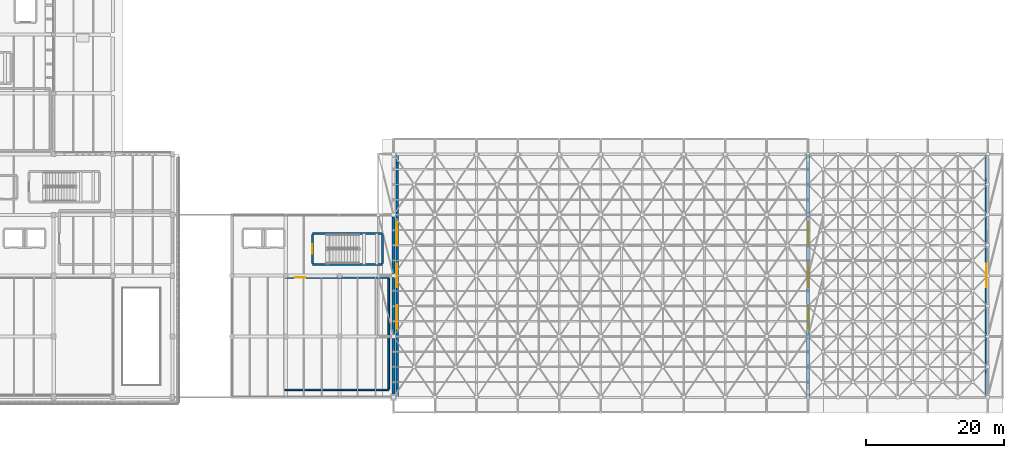
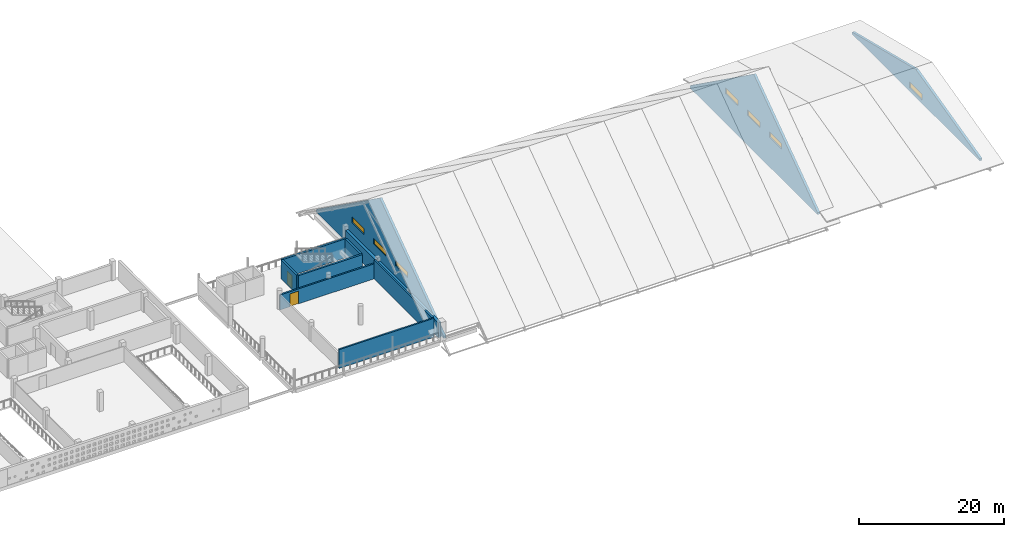
# One storey, part 45 of 55: 13 walls, 7 windows, 2 doors, 9 openings.
"""IFC4 building model written with IfcOpenShell, lengths in metres."""

from ifc_helpers import new_model, si_unit, direction, frame, frame_2d, origin, place, context, subcontext, project, spatial, polyline, rectangle, outline, extrude, material, layer, layer_set, type_object, element, fill, save


model = new_model("IFC4")

# Units and contexts
model_context = context("Model", 3, precision=1e-05, world=origin(), true_north=direction((0.0, 1.0)))
body_context = subcontext(model_context, "Body", "Model", "MODEL_VIEW")
ifc_project = project(units=[si_unit("LENGTHUNIT", "METRE"), si_unit("AREAUNIT", "SQUARE_METRE"), si_unit("VOLUMEUNIT", "CUBIC_METRE"), si_unit("PLANEANGLEUNIT", "RADIAN"), si_unit("MASSUNIT", "GRAM", prefix="KILO")], contexts=[model_context])

# Site, building, storey
site_placement = place(None, origin())
site = spatial("IfcSite", under=ifc_project, at=site_placement, CompositionType="ELEMENT")
building_placement = place(site_placement, origin())
building = spatial("IfcBuilding", under=site, at=building_placement, Name="Varnakota Cinema and Media Centre", CompositionType="ELEMENT")
storey_placement = place(building_placement, frame((0.0, 0.0, 15.60009765625)))
storey = spatial("IfcBuildingStorey", under=building, at=storey_placement, Name="L04", CompositionType="ELEMENT", Elevation=15.60009765625)

# Wall
ifc_material_1 = material(Name="Concrete M40", Category="concrete")
ifc_layer_1 = layer(ifc_material_1, 0.300048828125)
ifc_layer_set_1 = layer_set([ifc_layer_1], Name="Concrete M40")
wall_type_1 = type_object("IfcWallType", Name="W-CORE-300", PredefinedType="SHEAR", material=ifc_layer_set_1)
wall_1_placement = place(storey_placement, frame((73.429931640625, 19.25, 0.0), z_axis=(0.0, 0.0, 1.0), x_axis=(-1.0, 0.0, 0.0)))
element("IfcWall", 1, at=wall_1_placement, inside=storey, type_object=wall_type_1, Name="L04 CWALL-ST-04-L04 S wall", PredefinedType="SHEAR", context=body_context, shape_type="SweptSolid", body=[
    extrude(rectangle(XDim=10.179931640625, YDim=0.300048828125, at=frame_2d((5.08984375, 0.0))), origin(), (0.0, 0.0, 1.0), 3.199951171875),
])

# Wall, opening, door
wall_2_placement = place(storey_placement, frame((63.25, 19.39990234375, 0.0), z_axis=(0.0, 0.0, 1.0), x_axis=(0.0, 1.0, 0.0)))
wall_2 = element("IfcWall", 2, at=wall_2_placement, inside=storey, type_object=wall_type_1, Name="L04 CWALL-ST-04-L04 W wall", PredefinedType="SHEAR", context=body_context, shape_type="SweptSolid", body=[
    extrude(rectangle(XDim=4.150146484375, YDim=0.300048828125, at=frame_2d((2.0751953125, 0.0))), origin(), (0.0, 0.0, 1.0), 3.199951171875),
])
opening_1_placement = place(wall_2_placement, frame((1.39990234375, 0.0, 0.0)))
opening_1 = element("IfcOpeningElement", 3, at=opening_1_placement, cuts=wall_2, Name="Opening SD-04", PredefinedType="OPENING", context=body_context, shape_type="SweptSolid", body=[
    extrude(rectangle(XDim=1.35009765625, YDim=2.199951171875, at=frame_2d((0.675048828125, 1.10009765625))), frame((0.0, 0.14990234375, 0.0), z_axis=(0.0, -1.0, 0.0), x_axis=(1.0, 0.0, 0.0)), (0.0, 0.0, 1.0), 0.300048828125),
])
ifc_material_2 = material(Name="Thermally broken anodised aluminium AW-6063", Category="aluminium")
door_type_1 = type_object("IfcDoorType", Name="DR-STAIR-1350x2200", OperationType="NOTDEFINED", PredefinedType="DOOR", material=ifc_material_2)
door_1_placement = place(opening_1_placement, origin())
door_1 = element("IfcDoor", 4, at=door_1_placement, inside=storey, type_object=door_type_1, Name="L04 door SD-04", OperationType="SINGLE_SWING_LEFT", OverallHeight=2.199951171875, OverallWidth=1.35009765625, PredefinedType="DOOR", context=body_context, shape_type="SweptSolid", body=[
    extrude(rectangle(XDim=1.35009765625, YDim=2.199951171875, at=frame_2d((0.675048828125, 1.10009765625))), frame((0.0, 0.02490234375, 0.0), z_axis=(0.0, -1.0, 0.0), x_axis=(1.0, 0.0, 0.0)), (0.0, 0.0, 1.0), 0.050048828125),
])
fill(opening_1, door_1)

# Walls
wall_3_placement = place(storey_placement, frame((63.25, 23.699951171875, 0.0), z_axis=(0.0, 0.0, 1.0), x_axis=(1.0, 0.0, 0.0)))
element("IfcWall", 5, at=wall_3_placement, inside=storey, type_object=wall_type_1, Name="L04 CWALL-ST-04-L04 N wall", PredefinedType="SHEAR", context=body_context, shape_type="SweptSolid", body=[
    extrude(rectangle(XDim=10.179931640625, YDim=0.300048828125, at=frame_2d((5.08984375, 0.0))), origin(), (0.0, 0.0, 1.0), 3.199951171875),
])
wall_4_placement = place(storey_placement, frame((73.429931640625, 23.550048828125, 0.0), z_axis=(0.0, 0.0, 1.0), x_axis=(0.0, -1.0, 0.0)))
element("IfcWall", 6, at=wall_4_placement, inside=storey, type_object=wall_type_1, Name="L04 CWALL-ST-04-L04 E wall", PredefinedType="SHEAR", context=body_context, shape_type="SweptSolid", body=[
    extrude(rectangle(XDim=4.150146484375, YDim=0.300048828125, at=frame_2d((2.0751953125, 0.0))), origin(), (0.0, 0.0, 1.0), 3.199951171875),
])

# Wall, opening, window
ifc_material_3 = material(Name="Deccan grey granite ashlar", Category="masonry")
ifc_layer_2 = layer(ifc_material_3, 0.3798828125)
ifc_layer_set_2 = layer_set([ifc_layer_2], Name="Deccan grey granite ashlar")
wall_type_2 = type_object("IfcWallType", Name="W-EXT-GRAN-380", PredefinedType="SOLIDWALL", material=ifc_layer_set_2)
wall_5_placement = place(storey_placement, frame((160.81005859375, 0.0, 0.0), z_axis=(0.0, 0.0, 1.0), x_axis=(0.0, 1.0, 0.0)))
wall_5 = element("IfcWall", 7, at=wall_5_placement, inside=storey, type_object=wall_type_2, Name="L04 weather-tight granite gable enclosure V2-EAST", PredefinedType="SOLIDWALL", context=body_context, shape_type="SweptSolid", body=[
    extrude(outline(polyline([(0.0, 0.0), (35.199951171875, 0.0), (35.199951171875, 0.349853515625), (17.60009765625, 4.699951171875), (0.0, 0.349853515625), (0.0, 0.0)])), frame((0.0, 0.18994140625, 0.0), z_axis=(0.0, -1.0, 0.0), x_axis=(1.0, 0.0, 0.0)), (0.0, 0.0, 1.0), 0.3798828125),
])
opening_2_placement = place(wall_5_placement, frame((15.89990234375, 0.0, 0.60009765625)))
opening_2 = element("IfcOpeningElement", 8, at=opening_2_placement, cuts=wall_5, Name="Opening WR05", PredefinedType="OPENING", context=body_context, shape_type="SweptSolid", body=[
    extrude(rectangle(XDim=3.39990234375, YDim=0.949951171875, at=frame_2d((1.699951171875, 0.47509765625))), frame((0.0, 0.18994140625, 0.0), z_axis=(0.0, -1.0, 0.0), x_axis=(1.0, 0.0, 0.0)), (0.0, 0.0, 1.0), 0.3798828125),
])
ifc_material_4 = material(Name="Laminated solar-control double glazing", Category="glass")
window_type = type_object("IfcWindowType", Name="WIN-CLER-340x095", PartitioningType="SINGLE_PANEL", PredefinedType="WINDOW", material=ifc_material_4)
window_1_placement = place(opening_2_placement, origin())
window_1 = element("IfcWindow", 9, at=window_1_placement, inside=storey, type_object=window_type, Name="L04 window WR05", OverallHeight=0.949951171875, OverallWidth=3.39990234375, PartitioningType="SINGLE_PANEL", PredefinedType="WINDOW", context=body_context, shape_type="SweptSolid", body=[
    extrude(rectangle(XDim=3.39990234375, YDim=0.949951171875, at=frame_2d((1.699951171875, 0.47509765625))), frame((0.0, 0.030029296875, 0.0), z_axis=(0.0, -1.0, 0.0), x_axis=(1.0, 0.0, 0.0)), (0.0, 0.0, 1.0), 0.06005859375),
])
fill(opening_2, window_1)

# Wall, openings, windows
wall_6_placement = place(storey_placement, frame((135.0, 0.0, 0.0), z_axis=(0.0, 0.0, 1.0), x_axis=(0.0, 1.0, 0.0)))
wall_6 = element("IfcWall", 10, at=wall_6_placement, inside=storey, type_object=wall_type_2, Name="L04 weather-tight granite gable enclosure V1V2-STEP", PredefinedType="SOLIDWALL", context=body_context, shape_type="SweptSolid", body=[
    extrude(outline(polyline([(0.0, 0.0), (35.199951171875, 0.0), (35.199951171875, 0.349853515625), (17.60009765625, 12.949951171875), (0.0, 0.349853515625), (0.0, 0.0)])), frame((0.0, 0.18994140625, 0.0), z_axis=(0.0, -1.0, 0.0), x_axis=(1.0, 0.0, 0.0)), (0.0, 0.0, 1.0), 0.3798828125),
])
opening_3_placement = place(wall_6_placement, frame((9.89990234375, 0.0, 5.0)))
opening_3 = element("IfcOpeningElement", 11, at=opening_3_placement, cuts=wall_6, Name="Opening WR05", PredefinedType="OPENING", context=body_context, shape_type="SweptSolid", body=[
    extrude(rectangle(XDim=3.39990234375, YDim=0.949951171875, at=frame_2d((1.699951171875, 0.47509765625))), frame((0.0, 0.18994140625, 0.0), z_axis=(0.0, -1.0, 0.0), x_axis=(1.0, 0.0, 0.0)), (0.0, 0.0, 1.0), 0.3798828125),
])
opening_4_placement = place(wall_6_placement, frame((15.89990234375, 0.0, 5.0)))
opening_4 = element("IfcOpeningElement", 12, at=opening_4_placement, cuts=wall_6, Name="Opening WR05", PredefinedType="OPENING", context=body_context, shape_type="SweptSolid", body=[
    extrude(rectangle(XDim=3.39990234375, YDim=0.949951171875, at=frame_2d((1.699951171875, 0.47509765625))), frame((0.0, 0.18994140625, 0.0), z_axis=(0.0, -1.0, 0.0), x_axis=(1.0, 0.0, 0.0)), (0.0, 0.0, 1.0), 0.3798828125),
])
opening_5_placement = place(wall_6_placement, frame((21.89990234375, 0.0, 5.0)))
opening_5 = element("IfcOpeningElement", 13, at=opening_5_placement, cuts=wall_6, Name="Opening WR05", PredefinedType="OPENING", context=body_context, shape_type="SweptSolid", body=[
    extrude(rectangle(XDim=3.39990234375, YDim=0.949951171875, at=frame_2d((1.699951171875, 0.47509765625))), frame((0.0, 0.18994140625, 0.0), z_axis=(0.0, -1.0, 0.0), x_axis=(1.0, 0.0, 0.0)), (0.0, 0.0, 1.0), 0.3798828125),
])
window_2_placement = place(opening_3_placement, origin())
window_2 = element("IfcWindow", 14, at=window_2_placement, inside=storey, type_object=window_type, Name="L04 window WR05", OverallHeight=0.949951171875, OverallWidth=3.39990234375, PartitioningType="SINGLE_PANEL", PredefinedType="WINDOW", context=body_context, shape_type="SweptSolid", body=[
    extrude(rectangle(XDim=3.39990234375, YDim=0.949951171875, at=frame_2d((1.699951171875, 0.47509765625))), frame((0.0, 0.030029296875, 0.0), z_axis=(0.0, -1.0, 0.0), x_axis=(1.0, 0.0, 0.0)), (0.0, 0.0, 1.0), 0.06005859375),
])
fill(opening_3, window_2)
window_3_placement = place(opening_4_placement, origin())
window_3 = element("IfcWindow", 15, at=window_3_placement, inside=storey, type_object=window_type, Name="L04 window WR05", OverallHeight=0.949951171875, OverallWidth=3.39990234375, PartitioningType="SINGLE_PANEL", PredefinedType="WINDOW", context=body_context, shape_type="SweptSolid", body=[
    extrude(rectangle(XDim=3.39990234375, YDim=0.949951171875, at=frame_2d((1.699951171875, 0.47509765625))), frame((0.0, 0.030029296875, 0.0), z_axis=(0.0, -1.0, 0.0), x_axis=(1.0, 0.0, 0.0)), (0.0, 0.0, 1.0), 0.06005859375),
])
fill(opening_4, window_3)
window_4_placement = place(opening_5_placement, origin())
window_4 = element("IfcWindow", 16, at=window_4_placement, inside=storey, type_object=window_type, Name="L04 window WR05", OverallHeight=0.949951171875, OverallWidth=3.39990234375, PartitioningType="SINGLE_PANEL", PredefinedType="WINDOW", context=body_context, shape_type="SweptSolid", body=[
    extrude(rectangle(XDim=3.39990234375, YDim=0.949951171875, at=frame_2d((1.699951171875, 0.47509765625))), frame((0.0, 0.030029296875, 0.0), z_axis=(0.0, -1.0, 0.0), x_axis=(1.0, 0.0, 0.0)), (0.0, 0.0, 1.0), 0.06005859375),
])
fill(opening_5, window_4)

wall_7_placement = place(storey_placement, frame((75.52001953125, 0.0, 0.0), z_axis=(0.0, 0.0, 1.0), x_axis=(0.0, 1.0, 0.0)))
wall_7 = element("IfcWall", 17, at=wall_7_placement, inside=storey, type_object=wall_type_2, Name="L04 weather-tight granite gable enclosure V1-WEST", PredefinedType="SOLIDWALL", context=body_context, shape_type="SweptSolid", body=[
    extrude(outline(polyline([(0.0, 0.0), (35.199951171875, 0.0), (35.199951171875, 0.349853515625), (17.60009765625, 12.949951171875), (0.0, 0.349853515625), (0.0, 0.0)])), frame((0.0, 0.18994140625, 0.0), z_axis=(0.0, -1.0, 0.0), x_axis=(1.0, 0.0, 0.0)), (0.0, 0.0, 1.0), 0.3798828125),
])
opening_6_placement = place(wall_7_placement, frame((9.89990234375, 0.0, 4.199951171875)))
opening_6 = element("IfcOpeningElement", 18, at=opening_6_placement, cuts=wall_7, Name="Opening WR05", PredefinedType="OPENING", context=body_context, shape_type="SweptSolid", body=[
    extrude(rectangle(XDim=3.39990234375, YDim=0.949951171875, at=frame_2d((1.699951171875, 0.47509765625))), frame((0.0, 0.18994140625, 0.0), z_axis=(0.0, -1.0, 0.0), x_axis=(1.0, 0.0, 0.0)), (0.0, 0.0, 1.0), 0.3798828125),
])
opening_7_placement = place(wall_7_placement, frame((15.89990234375, 0.0, 4.199951171875)))
opening_7 = element("IfcOpeningElement", 19, at=opening_7_placement, cuts=wall_7, Name="Opening WR05", PredefinedType="OPENING", context=body_context, shape_type="SweptSolid", body=[
    extrude(rectangle(XDim=3.39990234375, YDim=0.949951171875, at=frame_2d((1.699951171875, 0.47509765625))), frame((0.0, 0.18994140625, 0.0), z_axis=(0.0, -1.0, 0.0), x_axis=(1.0, 0.0, 0.0)), (0.0, 0.0, 1.0), 0.3798828125),
])
opening_8_placement = place(wall_7_placement, frame((21.89990234375, 0.0, 4.199951171875)))
opening_8 = element("IfcOpeningElement", 20, at=opening_8_placement, cuts=wall_7, Name="Opening WR05", PredefinedType="OPENING", context=body_context, shape_type="SweptSolid", body=[
    extrude(rectangle(XDim=3.39990234375, YDim=0.949951171875, at=frame_2d((1.699951171875, 0.47509765625))), frame((0.0, 0.18994140625, 0.0), z_axis=(0.0, -1.0, 0.0), x_axis=(1.0, 0.0, 0.0)), (0.0, 0.0, 1.0), 0.3798828125),
])
window_5_placement = place(opening_6_placement, origin())
window_5 = element("IfcWindow", 21, at=window_5_placement, inside=storey, type_object=window_type, Name="L04 window WR05", OverallHeight=0.949951171875, OverallWidth=3.39990234375, PartitioningType="SINGLE_PANEL", PredefinedType="WINDOW", context=body_context, shape_type="SweptSolid", body=[
    extrude(rectangle(XDim=3.39990234375, YDim=0.949951171875, at=frame_2d((1.699951171875, 0.47509765625))), frame((0.0, 0.030029296875, 0.0), z_axis=(0.0, -1.0, 0.0), x_axis=(1.0, 0.0, 0.0)), (0.0, 0.0, 1.0), 0.06005859375),
])
fill(opening_6, window_5)
window_6_placement = place(opening_7_placement, origin())
window_6 = element("IfcWindow", 22, at=window_6_placement, inside=storey, type_object=window_type, Name="L04 window WR05", OverallHeight=0.949951171875, OverallWidth=3.39990234375, PartitioningType="SINGLE_PANEL", PredefinedType="WINDOW", context=body_context, shape_type="SweptSolid", body=[
    extrude(rectangle(XDim=3.39990234375, YDim=0.949951171875, at=frame_2d((1.699951171875, 0.47509765625))), frame((0.0, 0.030029296875, 0.0), z_axis=(0.0, -1.0, 0.0), x_axis=(1.0, 0.0, 0.0)), (0.0, 0.0, 1.0), 0.06005859375),
])
fill(opening_7, window_6)
window_7_placement = place(opening_8_placement, origin())
window_7 = element("IfcWindow", 23, at=window_7_placement, inside=storey, type_object=window_type, Name="L04 window WR05", OverallHeight=0.949951171875, OverallWidth=3.39990234375, PartitioningType="SINGLE_PANEL", PredefinedType="WINDOW", context=body_context, shape_type="SweptSolid", body=[
    extrude(rectangle(XDim=3.39990234375, YDim=0.949951171875, at=frame_2d((1.699951171875, 0.47509765625))), frame((0.0, 0.030029296875, 0.0), z_axis=(0.0, -1.0, 0.0), x_axis=(1.0, 0.0, 0.0)), (0.0, 0.0, 1.0), 0.06005859375),
])
fill(opening_8, window_7)

# Walls
ifc_material_5 = material(Name="Deccan grey granite ashlar", Category="masonry")
ifc_layer_3 = layer(ifc_material_5, 0.43994140625)
ifc_layer_set_3 = layer_set([ifc_layer_3], Name="Deccan grey granite ashlar")
wall_type_3 = type_object("IfcWallType", Name="W-EXT-HALL-440", PredefinedType="SOLIDWALL", material=ifc_layer_set_3)
wall_8_placement = place(storey_placement, frame((75.0, 0.47509765625, 0.0), z_axis=(0.0, 0.0, 1.0), x_axis=(0.0, 1.0, 0.0)))
element("IfcWall", 24, at=wall_8_placement, inside=storey, type_object=wall_type_3, Name="L04 exterior wall V6-E-1", PredefinedType="SOLIDWALL", context=body_context, shape_type="SweptSolid", body=[
    extrude(rectangle(XDim=8.02490234375, YDim=0.43994140625, at=frame_2d((4.012451171875, 0.0))), origin(), (0.0, 0.0, 1.0), 2.534912109375),
])
wall_9_placement = place(storey_placement, frame((75.0, 9.10009765625, 0.0), z_axis=(0.0, 0.0, 1.0), x_axis=(0.0, 1.0, 0.0)))
element("IfcWall", 25, at=wall_9_placement, inside=storey, type_object=wall_type_3, Name="L04 exterior wall V6-E-2", PredefinedType="SOLIDWALL", context=body_context, shape_type="SweptSolid", body=[
    extrude(rectangle(XDim=8.224853515625, YDim=0.43994140625, at=frame_2d((4.1123046875, 0.0))), origin(), (0.0, 0.0, 1.0), 2.5849609375),
])
wall_10_placement = place(storey_placement, frame((75.0, 17.875, 0.0), z_axis=(0.0, 0.0, 1.0), x_axis=(0.0, 1.0, 0.0)))
element("IfcWall", 26, at=wall_10_placement, inside=storey, type_object=wall_type_3, Name="L04 exterior wall V6-E-3", PredefinedType="SOLIDWALL", context=body_context, shape_type="SweptSolid", body=[
    extrude(rectangle(XDim=8.22509765625, YDim=0.43994140625, at=frame_2d((4.112548828125, 0.0))), origin(), (0.0, 0.0, 1.0), 2.5849609375),
])
ifc_material_6 = material(Name="Autoclaved aerated concrete blockwork", Category="masonry")
ifc_layer_4 = layer(ifc_material_6, 0.25)
ifc_layer_set_4 = layer_set([ifc_layer_4], Name="Autoclaved aerated concrete blockwork")
wall_type_4 = type_object("IfcWallType", Name="W-FIRE-250", PredefinedType="SOLIDWALL", material=ifc_layer_set_4)
wall_11_placement = place(storey_placement, frame((74.324951171875, 1.074951171875, 0.0), z_axis=(0.0, 0.0, 1.0), x_axis=(-1.0, 0.0, 0.0)))
element("IfcWall", 27, at=wall_11_placement, inside=storey, type_object=wall_type_4, Name="L04 RWALL-RM-L04-ARCH1 S wall", PredefinedType="SOLIDWALL", context=body_context, shape_type="SweptSolid", body=[
    extrude(rectangle(XDim=15.050048828125, YDim=0.25, at=frame_2d((7.52490234375, 0.0))), origin(), (0.0, 0.0, 1.0), 3.179931640625),
])

# Wall, opening, door
wall_12_placement = place(storey_placement, frame((59.27490234375, 17.324951171875, 0.0), z_axis=(0.0, 0.0, 1.0), x_axis=(1.0, 0.0, 0.0)))
wall_12 = element("IfcWall", 28, at=wall_12_placement, inside=storey, type_object=wall_type_4, Name="L04 RWALL-RM-L04-ARCH1 N wall", PredefinedType="SOLIDWALL", context=body_context, shape_type="SweptSolid", body=[
    extrude(rectangle(XDim=15.050048828125, YDim=0.25, at=frame_2d((7.52490234375, 0.0))), origin(), (0.0, 0.0, 1.0), 2.52978515625),
])
opening_9_placement = place(wall_12_placement, frame((1.52490234375, 0.0, 0.0)))
opening_9 = element("IfcOpeningElement", 29, at=opening_9_placement, cuts=wall_12, Name="Opening D-101", PredefinedType="OPENING", context=body_context, shape_type="SweptSolid", body=[
    extrude(rectangle(XDim=1.39990234375, YDim=2.14990234375, at=frame_2d((0.699951171875, 1.074951171875))), frame((0.0, 0.125, 0.0), z_axis=(0.0, -1.0, 0.0), x_axis=(1.0, 0.0, 0.0)), (0.0, 0.0, 1.0), 0.25),
])
ifc_material_7 = material(Name="Thermally broken anodised aluminium AW-6063", Category="aluminium")
door_type_2 = type_object("IfcDoorType", Name="DR-STD-1400x2150", OperationType="DOUBLE_DOOR_SINGLE_SWING", PredefinedType="DOOR", material=ifc_material_7)
door_2_placement = place(opening_9_placement, origin())
door_2 = element("IfcDoor", 30, at=door_2_placement, inside=storey, type_object=door_type_2, Name="L04 door D-101", OperationType="DOUBLE_DOOR_SINGLE_SWING", OverallHeight=2.14990234375, OverallWidth=1.39990234375, PredefinedType="DOOR", context=body_context, shape_type="SweptSolid", body=[
    extrude(rectangle(XDim=1.39990234375, YDim=2.14990234375, at=frame_2d((0.699951171875, 1.074951171875))), frame((0.0, 0.02490234375, 0.0), z_axis=(0.0, -1.0, 0.0), x_axis=(1.0, 0.0, 0.0)), (0.0, 0.0, 1.0), 0.050048828125),
])
fill(opening_9, door_2)

# Wall
wall_13_placement = place(storey_placement, frame((74.324951171875, 17.199951171875, 0.0), z_axis=(0.0, 0.0, 1.0), x_axis=(0.0, -1.0, 0.0)))
element("IfcWall", 31, at=wall_13_placement, inside=storey, type_object=wall_type_4, Name="L04 RWALL-RM-L04-ARCH1 E wall", PredefinedType="SOLIDWALL", context=body_context, shape_type="SweptSolid", body=[
    extrude(rectangle(XDim=16.0, YDim=0.25, at=frame_2d((8.0, 0.0))), origin(), (0.0, 0.0, 1.0), 3.179931640625),
])

save(model, "model.ifc")
